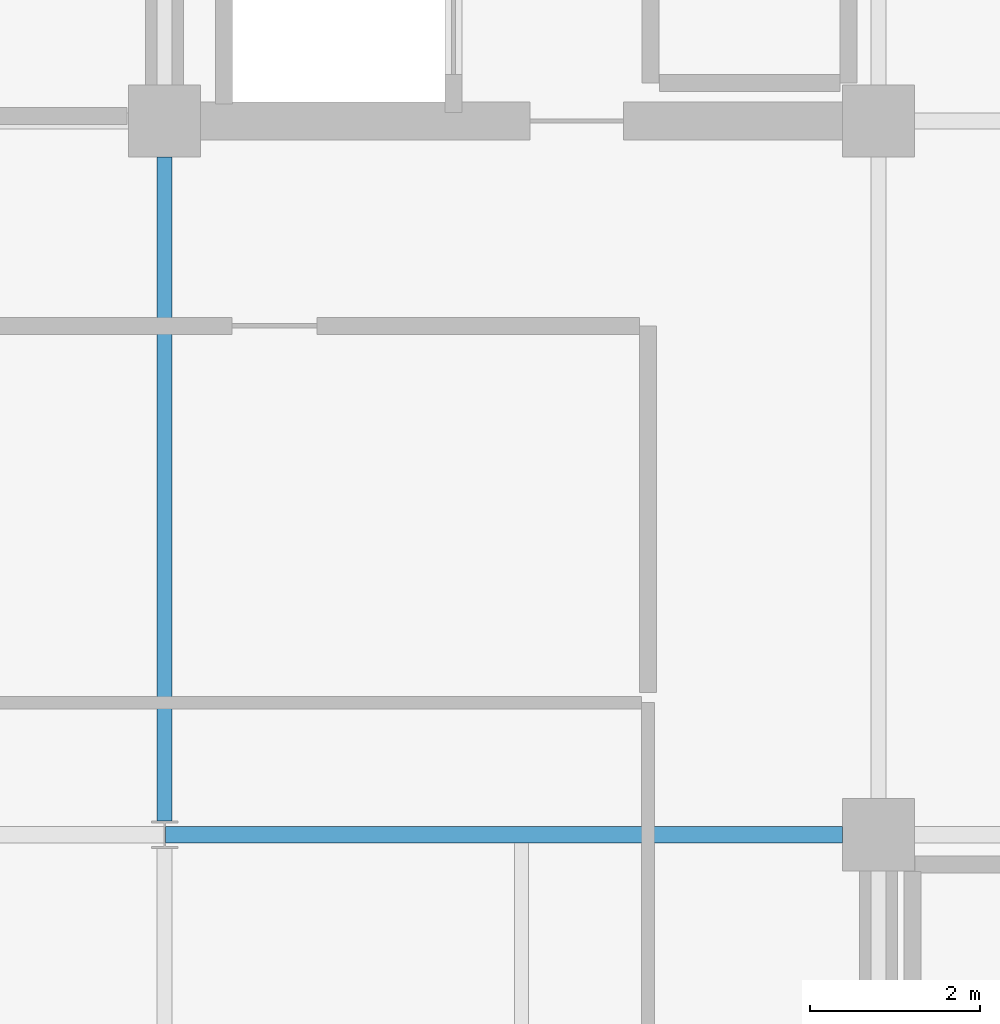
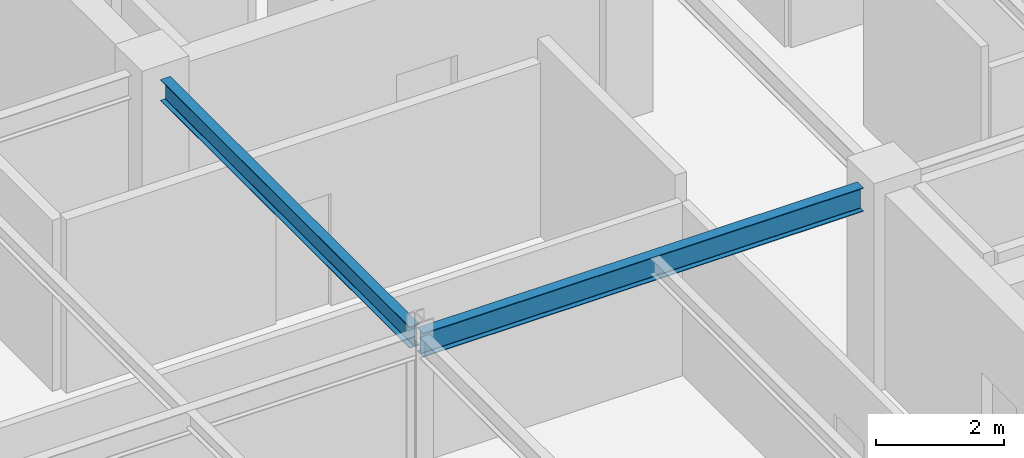
# One storey, part 10 of 26: 2 beams.
"""IFC4 building model written with IfcOpenShell, lengths in metres."""

import ifcopenshell
import ifcopenshell.guid

model = None  # the IFC model being written
_history = None  # IfcOwnerHistory: only IFC2X3 demands one
_inside = {}  # id of a spatial element -> (the spatial element, [elements in it])
_under = {}  # id of a project, library or spatial element -> (it, [spatial elements below it])
_declared = {}  # id of a project -> (the project, [libraries it declares])
_typed = {}  # id of a type object -> (the type object, [elements of that type])
_made_of = {}  # id of a material, layer set ... -> (it, [elements and type objects made of it])


def new_model(schema):
    """Start an empty IFC model of exactly this schema.

    Asked for "IFC4X3", IfcOpenShell would pick the latest addendum, in which some entities
    have other attributes; the version numbers below select the first issue.
    IFC2X3 requires an IfcOwnerHistory on every rooted entity: one is made here for all.
    """
    global model, _history
    if schema == "IFC4X3":
        model = ifcopenshell.file(schema_version=(4, 3, 0, 0))
    else:
        model = ifcopenshell.file(schema=schema)
    _inside.clear()
    _under.clear()
    _declared.clear()
    _typed.clear()
    _made_of.clear()
    _history = None
    if model.schema == "IFC2X3":
        org = make("IfcOrganization", Name="unknown")
        user = make(
            "IfcPersonAndOrganization",
            ThePerson=make("IfcPerson", FamilyName="unknown"),
            TheOrganization=org,
        )
        app = make(
            "IfcApplication",
            ApplicationDeveloper=org,
            Version="unknown",
            ApplicationFullName="unknown",
            ApplicationIdentifier="unknown",
        )
        _history = make(
            "IfcOwnerHistory",
            OwningUser=user,
            OwningApplication=app,
            ChangeAction="ADDED",
            CreationDate=0,
        )
    return model


def make(cls, **values):
    """One entity of the class cls with the attributes given. An attribute that is None is left unset."""
    return model.create_entity(
        cls, **{name: value for name, value in values.items() if value is not None}
    )


def rooted(cls, **values):
    """An entity with a GlobalId (a new one), such as an element, a storey or a relation."""
    return make(cls, GlobalId=ifcopenshell.guid.new(), OwnerHistory=_history, **values)


def si_unit(unit_type, name, prefix=None):
    """IfcSIUnit, for example si_unit("LENGTHUNIT", "METRE", prefix="MILLI")."""
    return make("IfcSIUnit", UnitType=unit_type, Prefix=prefix, Name=name)


def assignment(units):
    """IfcUnitAssignment: the units of a project."""
    return None if units is None else make("IfcUnitAssignment", Units=units)


def point(xyz):
    """IfcCartesianPoint."""
    return None if xyz is None else make("IfcCartesianPoint", Coordinates=xyz)


def direction(xyz):
    """IfcDirection."""
    return None if xyz is None else make("IfcDirection", DirectionRatios=xyz)


def frame(location, z_axis=None, x_axis=None):
    """IfcAxis2Placement3D, a coordinate frame: its origin and axes. An axis left out is left unset."""
    return make(
        "IfcAxis2Placement3D",
        Location=point(location),
        Axis=direction(z_axis),
        RefDirection=direction(x_axis),
    )


def frame_2d(location, x_axis=None):
    """IfcAxis2Placement2D, a coordinate frame in the plane: its origin and x axis."""
    return make(
        "IfcAxis2Placement2D", Location=point(location), RefDirection=direction(x_axis)
    )


def origin():
    """The frame at (0, 0, 0) with its axes left unset."""
    return frame((0.0, 0.0, 0.0))


def origin_2d():
    """The frame at (0, 0) in the plane with its x axis left unset."""
    return frame_2d((0.0, 0.0))


def place(relative_to, where):
    """IfcLocalPlacement: puts the frame where relative to a parent placement (None: the world)."""
    return make(
        "IfcLocalPlacement", PlacementRelTo=relative_to, RelativePlacement=where
    )


def context(
    kind, dimensions, precision=None, world=None, true_north=None, identifier=None
):
    """IfcGeometricRepresentationContext, for example the 3D "Model" context."""
    return make(
        "IfcGeometricRepresentationContext",
        ContextIdentifier=identifier,
        ContextType=kind,
        CoordinateSpaceDimension=dimensions,
        Precision=precision,
        WorldCoordinateSystem=world,
        TrueNorth=true_north,
    )


def subcontext(parent, identifier, kind, view, scale=None):
    """IfcGeometricRepresentationSubContext, for example "Body" below "Model"."""
    return make(
        "IfcGeometricRepresentationSubContext",
        ContextIdentifier=identifier,
        ContextType=kind,
        ParentContext=parent,
        TargetScale=scale,
        TargetView=view,
    )


def project(units=None, contexts=None):
    """IfcProject with its units and contexts."""
    return rooted(
        "IfcProject",
        Name="project",
        RepresentationContexts=contexts,
        UnitsInContext=assignment(units),
    )


def spatial(cls, under=None, at=None, **own):
    """A site, building, storey or space (cls), placed at a placement, below another one or the project."""
    s = rooted(cls, ObjectPlacement=at, **own)
    if under is not None:
        _under.setdefault(under.id(), (under, []))[1].append(s)
    return s


def profile(cls, at=None, kind="AREA", **sizes):
    """A parametric profile (cls). Its sizes go by their IFC names, for example OverallWidth=200.0."""
    return make(cls, ProfileType=kind, Position=at, **sizes)


def i_section(**sizes):
    """IfcIShapeProfileDef."""
    return profile("IfcIShapeProfileDef", **sizes)


def extrude(swept, where, along, depth):
    """IfcExtrudedAreaSolid: the profile swept, set in the frame where, extruded along a direction by depth."""
    return make(
        "IfcExtrudedAreaSolid",
        SweptArea=swept,
        Position=where,
        ExtrudedDirection=direction(along),
        Depth=depth,
    )


def shape(context_of_items, identifier, shape_type, items):
    """IfcShapeRepresentation: the items that make up one representation, for example the "Body"."""
    return make(
        "IfcShapeRepresentation",
        ContextOfItems=context_of_items,
        RepresentationIdentifier=identifier,
        RepresentationType=shape_type,
        Items=items,
    )


def material(Name=None, Category=None):
    """IfcMaterial."""
    return make("IfcMaterial", Name=Name, Category=Category)


def material_profile(
    of_material, cross_section, Name=None, Category=None, Priority=None
):
    """IfcMaterialProfile: a cross section and its material."""
    return make(
        "IfcMaterialProfile",
        Name=Name,
        Material=of_material,
        Profile=cross_section,
        Priority=Priority,
        Category=Category,
    )


def profile_set(profiles, Name=None, composite=None):
    """IfcMaterialProfileSet."""
    return make(
        "IfcMaterialProfileSet",
        Name=Name,
        MaterialProfiles=profiles,
        CompositeProfile=composite,
    )


def made_of(thing, what):
    """Note that an element or type object is made of a material, layer set ...; save() writes the relation."""
    if what is not None:
        _made_of.setdefault(what.id(), (what, []))[1].append(thing)
    return thing


def type_object(cls, material=None, **own):
    """A type object (cls), such as IfcWallType, which elements share."""
    return made_of(rooted(cls, **own), material)


def element(
    cls,
    number,
    at=None,
    inside=None,
    cuts=None,
    type_object=None,
    material=None,
    context=None,
    identifier="Body",
    shape_type=None,
    held_by="IfcProductDefinitionShape",
    body=None,
    shapes=None,
    **own,
):
    """One element of the class cls, such as IfcWall. Its Tag is "e" and its number.

    at: its placement. inside: the storey or other place that contains it. cuts: it is an
    opening in that element (IfcRelVoidsElement). A single representation is given by context,
    identifier, shape_type and body (its items); several are given by shapes. held_by: the class
    of the entity that holds the representations. save() writes the other relations.
    """
    e = rooted(cls, Tag="e%d" % number, ObjectPlacement=at, **own)
    if body is not None:
        shapes = [shape(context, identifier, shape_type, body)]
    if shapes is not None:
        e.Representation = make(held_by, Representations=shapes)
    if inside is not None:
        _inside.setdefault(inside.id(), (inside, []))[1].append(e)
    if cuts is not None:
        rooted(
            "IfcRelVoidsElement", RelatingBuildingElement=cuts, RelatedOpeningElement=e
        )
    if type_object is not None:
        _typed.setdefault(type_object.id(), (type_object, []))[1].append(e)
    return made_of(e, material)


def aggregate(whole, parts):
    """IfcRelAggregates: a whole, such as a stair, and the parts it consists of."""
    return rooted("IfcRelAggregates", RelatingObject=whole, RelatedObjects=parts)


def save(model, path):
    """Write the relations noted so far, then the file.

    IfcRelAggregates (storeys below a building ...), IfcRelContainedInSpatialStructure (elements
    in a storey), IfcRelDefinesByType, IfcRelAssociatesMaterial and IfcRelDeclares: one each for
    every whole, place, type object, material and project.
    """
    for whole, parts in _under.values():
        aggregate(whole, parts)
    for where, things in _inside.values():
        rooted(
            "IfcRelContainedInSpatialStructure",
            RelatedElements=things,
            RelatingStructure=where,
        )
    for kind, things in _typed.values():
        rooted("IfcRelDefinesByType", RelatedObjects=things, RelatingType=kind)
    for what, things in _made_of.values():
        rooted("IfcRelAssociatesMaterial", RelatedObjects=things, RelatingMaterial=what)
    for by, libraries in _declared.values():
        rooted("IfcRelDeclares", RelatingContext=by, RelatedDefinitions=libraries)
    model.write(path)


model = new_model("IFC4")

# Units and contexts
model_context = context("Model", 3, precision=1e-05, world=origin(), true_north=direction((0.0, 1.0)))
body_context = subcontext(model_context, "Body", "Model", "MODEL_VIEW")
ifc_project = project(units=[si_unit("LENGTHUNIT", "METRE"), si_unit("AREAUNIT", "SQUARE_METRE"), si_unit("VOLUMEUNIT", "CUBIC_METRE"), si_unit("PLANEANGLEUNIT", "RADIAN"), si_unit("MASSUNIT", "GRAM", prefix="KILO")], contexts=[model_context])

# Site, building, storey
site_placement = place(None, origin())
site = spatial("IfcSite", under=ifc_project, at=site_placement, CompositionType="ELEMENT")
building_placement = place(site_placement, origin())
building = spatial("IfcBuilding", under=site, at=building_placement, Name="Nerrivon Quay Data Exchange", CompositionType="ELEMENT")
storey_placement = place(building_placement, frame((0.0, 0.0, 250.199951171875)))
storey = spatial("IfcBuildingStorey", under=building, at=storey_placement, Name="L59", CompositionType="ELEMENT", Elevation=250.199951171875)

# Beams
ifc_material = material(Name="Steel Grade 350", Category="steel")
ifc_material_profile_1 = material_profile(ifc_material, i_section(OverallWidth=0.18994140625, OverallDepth=0.4541015625, WebThickness=0.008544921875, FlangeThickness=0.0126953125, FilletRadius=0.011474609375, at=origin_2d()), Name="460UB67.1")
ifc_profile_set_1 = profile_set([ifc_material_profile_1], Name="Steel Grade 350")
beam_type_1 = type_object("IfcBeamType", Name="BM-G6-460UB67", PredefinedType="BEAM", material=ifc_profile_set_1)
beam_1_placement = place(storey_placement, frame((8.40771484375, 16.800048828125, 3.498046875), z_axis=(1.0, 0.0, 0.0), x_axis=(0.0, 1.0, 0.0)))
element("IfcBeam", 1, at=beam_1_placement, inside=storey, type_object=beam_type_1, Name="L59 EW Girder Y=16.8 (8.4..16.8)", PredefinedType="BEAM", context=body_context, shape_type="SweptSolid", body=[
    extrude(i_section(OverallWidth=0.18994140625, OverallDepth=0.4541015625, WebThickness=0.008544921875, FlangeThickness=0.0126953125, FilletRadius=0.011474609375, at=origin_2d()), origin(), (0.0, 0.0, 1.0), 7.96728515625),
])
ifc_material_profile_2 = material_profile(ifc_material, i_section(OverallWidth=0.177978515625, OverallDepth=0.406005859375, WebThickness=0.0078125, FlangeThickness=0.0126953125, FilletRadius=0.011474609375, at=origin_2d()), Name="410UB59.7")
ifc_profile_set_2 = profile_set([ifc_material_profile_2], Name="Steel Grade 350")
beam_type_2 = type_object("IfcBeamType", Name="BM-J1-410UB60", PredefinedType="JOIST", material=ifc_profile_set_2)
beam_2_placement = place(storey_placement, frame((8.39990234375, 16.96337890625, 3.52197265625), z_axis=(0.0, 1.0, 0.0), x_axis=(-1.0, 0.0, 0.0)))
element("IfcBeam", 2, at=beam_2_placement, inside=storey, type_object=beam_type_2, Name="L59 NS Girder X=8.4 (16.8..25.2)", PredefinedType="JOIST", context=body_context, shape_type="SweptSolid", body=[
    extrude(i_section(OverallWidth=0.177978515625, OverallDepth=0.406005859375, WebThickness=0.0078125, FlangeThickness=0.0126953125, FilletRadius=0.011474609375, at=origin_2d()), origin(), (0.0, 0.0, 1.0), 7.8115234375),
])

save(model, "model.ifc")
